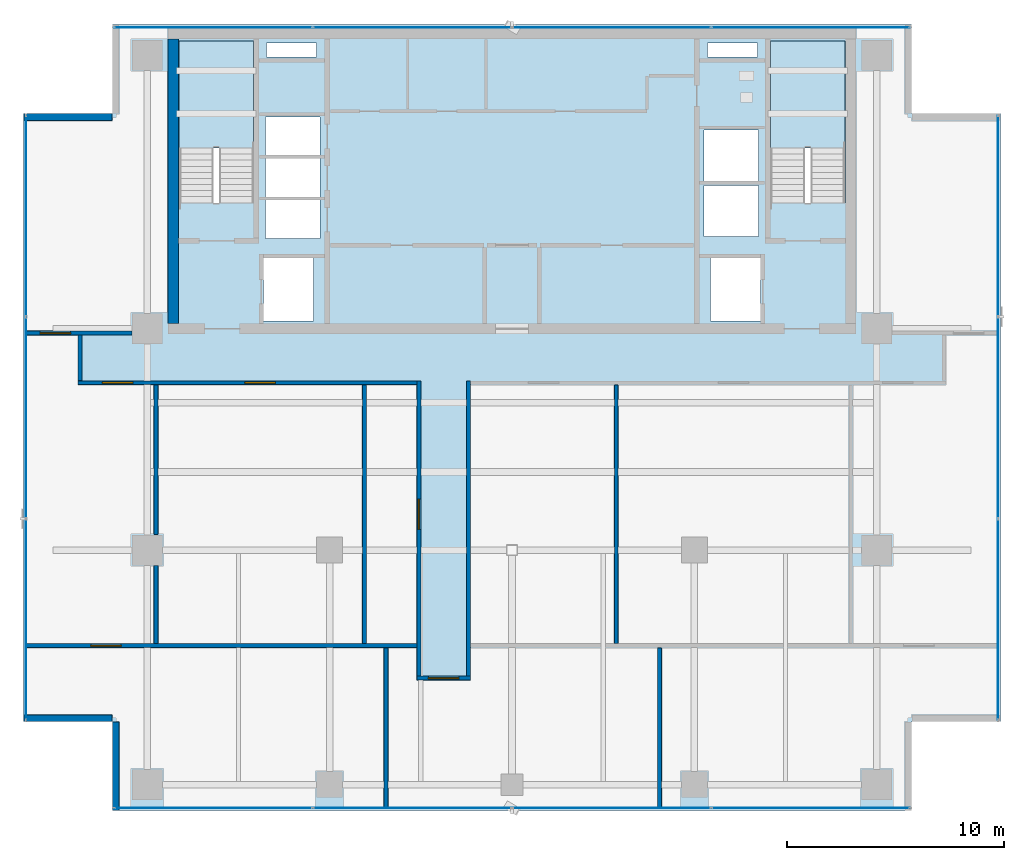
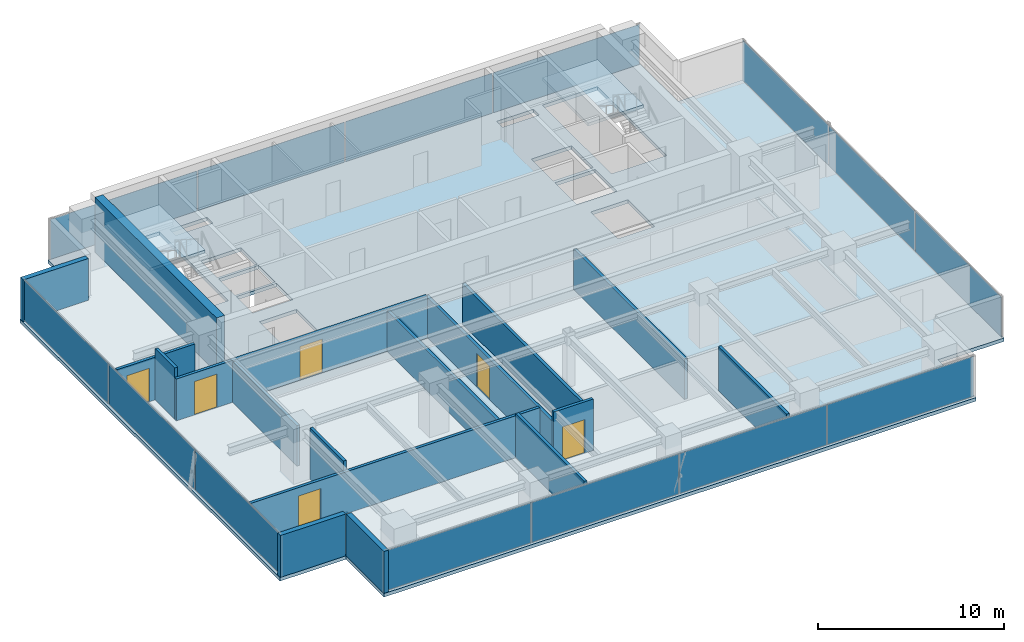
# One storey, part 19 of 25: 17 walls, 14 plates, 6 doors, 3 slabs, 6 openings, 6 elements without a shape of their own.
"""IFC4 building model written with IfcOpenShell, lengths in metres."""

from ifc_helpers import new_model, si_unit, direction, frame, frame_2d, origin, origin_2d, place, context, subcontext, project, spatial, polyline, rectangle, outline, extrude, source, transform, mapped, material, layer, layer_set, type_object, element, fill, aggregate, save


model = new_model("IFC4")

# Units and contexts
model_context = context("Model", 3, precision=1e-05, world=origin(), true_north=direction((0.0, 1.0)))
body_context = subcontext(model_context, "Body", "Model", "MODEL_VIEW")
ifc_project = project(units=[si_unit("LENGTHUNIT", "METRE"), si_unit("AREAUNIT", "SQUARE_METRE"), si_unit("VOLUMEUNIT", "CUBIC_METRE"), si_unit("PLANEANGLEUNIT", "RADIAN"), si_unit("MASSUNIT", "GRAM", prefix="KILO")], contexts=[model_context])

# Site, building, storey
site_placement = place(None, origin())
site = spatial("IfcSite", under=ifc_project, at=site_placement, CompositionType="ELEMENT")
building_placement = place(site_placement, origin())
building = spatial("IfcBuilding", under=site, at=building_placement, Name="Sumidabori Civic Tower", CompositionType="ELEMENT")
storey_placement = place(building_placement, frame((0.0, 0.0, 268.39990234375)))
storey = spatial("IfcBuildingStorey", under=building, at=storey_placement, Name="L70", CompositionType="ELEMENT", Elevation=268.39990234375)

# Stair, slab
ifc_material_1 = material(Name="Concrete C40/50", Category="concrete")
stair_type = type_object("IfcStairType", Name="ST-CORE-1600", PredefinedType="HALF_TURN_STAIR", material=ifc_material_1)
stair_1_placement = place(storey_placement, origin())
stair_1 = element("IfcStair", 1, at=stair_1_placement, inside=storey, type_object=stair_type, Name="L70 ST-1", PredefinedType="HALF_TURN_STAIR")
ifc_layer_1 = layer(ifc_material_1, 0.199951171875, Name="Concrete C40/50")
ifc_layer_set_1 = layer_set([ifc_layer_1], Name="Concrete C40/50")
slab_type_1 = type_object("IfcSlabType", Name="SL-LAND-200", PredefinedType="LANDING", material=ifc_layer_set_1)
slab_1_placement = place(storey_placement, frame((0.0, 0.0, 1.60009765625)))
slab_1 = element("IfcSlab", 2, at=slab_1_placement, type_object=slab_type_1, Name="ST-1 landing 1", PredefinedType="LANDING", context=body_context, shape_type="SweptSolid", body=[
    extrude(outline(polyline([(-11.89990234375, 18.52001953125), (-11.89990234375, 23.449951171875), (-15.340087890625, 23.449951171875), (-15.340087890625, 18.52001953125), (-11.89990234375, 18.52001953125)])), origin(), (0.0, 0.0, 1.0), 0.199951171875),
])
aggregate(stair_1, [slab_1])

stair_2_placement = place(storey_placement, origin())
stair_2 = element("IfcStair", 3, at=stair_2_placement, inside=storey, type_object=stair_type, Name="L70 ST-2", PredefinedType="HALF_TURN_STAIR")
slab_2_placement = place(storey_placement, frame((0.0, 0.0, 1.60009765625)))
slab_2 = element("IfcSlab", 4, at=slab_2_placement, type_object=slab_type_1, Name="ST-2 landing 1", PredefinedType="LANDING", context=body_context, shape_type="SweptSolid", body=[
    extrude(outline(polyline([(15.340087890625, 18.52001953125), (15.340087890625, 23.449951171875), (11.89990234375, 23.449951171875), (11.89990234375, 18.52001953125), (15.340087890625, 18.52001953125)])), origin(), (0.0, 0.0, 1.0), 0.199951171875),
])
aggregate(stair_2, [slab_2])

# Slab
ifc_layer_2 = layer(ifc_material_1, 0.22998046875, Name="Concrete C40/50")
ifc_layer_set_2 = layer_set([ifc_layer_2], Name="Concrete C40/50")
slab_type_2 = type_object("IfcSlabType", Name="SL-Z4-230", PredefinedType="FLOOR", material=ifc_layer_set_2)
slab_3_placement = place(storey_placement, frame((0.0, 0.0, -0.22998046875)))
element("IfcSlab", 5, at=slab_3_placement, inside=storey, type_object=slab_type_2, Name="Structural Slab L70", PredefinedType="FLOOR", context=body_context, shape_type="SweptSolid", body=[
    extrude(outline(polyline([(-18.39990234375, -12.0), (18.39990234375, -12.0), (18.39990234375, -7.89990234375), (22.5, -7.89990234375), (22.5, 20.10009765625), (18.39990234375, 20.10009765625), (18.39990234375, 24.199951171875), (-18.39990234375, 24.199951171875), (-18.39990234375, 20.10009765625), (-22.5, 20.10009765625), (-22.5, -7.89990234375), (-18.39990234375, -7.89990234375), (-18.39990234375, -12.0)]), holes=[polyline([(-11.89990234375, 16.0), (-11.89990234375, 23.449951171875), (-15.340087890625, 23.449951171875), (-15.340087890625, 16.0), (-11.89990234375, 16.0)]), polyline([(15.340087890625, 16.0), (15.340087890625, 23.449951171875), (11.89990234375, 23.449951171875), (11.89990234375, 16.0), (15.340087890625, 16.0)]), polyline([(-11.449951171875, 10.550048828125), (-9.14990234375, 10.550048828125), (-9.14990234375, 13.449951171875), (-11.449951171875, 13.449951171875), (-11.449951171875, 10.550048828125)]), polyline([(9.14990234375, 10.550048828125), (11.449951171875, 10.550048828125), (11.449951171875, 13.449951171875), (9.14990234375, 13.449951171875), (9.14990234375, 10.550048828125)]), polyline([(-11.35009765625, 14.35009765625), (-8.85009765625, 14.35009765625), (-8.85009765625, 16.1201171875), (-11.35009765625, 16.1201171875), (-11.35009765625, 14.35009765625)]), polyline([(-11.35009765625, 16.27001953125), (-8.85009765625, 16.27001953125), (-8.85009765625, 18.0400390625), (-11.35009765625, 18.0400390625), (-11.35009765625, 16.27001953125)]), polyline([(-11.35009765625, 18.18994140625), (-8.85009765625, 18.18994140625), (-8.85009765625, 19.9599609375), (-11.35009765625, 19.9599609375), (-11.35009765625, 18.18994140625)]), polyline([(8.85009765625, 14.449951171875), (11.35009765625, 14.449951171875), (11.35009765625, 16.800048828125), (8.85009765625, 16.800048828125), (8.85009765625, 14.449951171875)]), polyline([(8.85009765625, 17.0), (11.35009765625, 17.0), (11.35009765625, 19.35009765625), (8.85009765625, 19.35009765625), (8.85009765625, 17.0)]), polyline([(-11.300048828125, 22.719970703125), (-9.0, 22.719970703125), (-9.0, 23.35009765625), (-11.300048828125, 23.35009765625), (-11.300048828125, 22.719970703125)]), polyline([(9.0, 22.719970703125), (11.300048828125, 22.719970703125), (11.300048828125, 23.35009765625), (9.0, 23.35009765625), (9.0, 22.719970703125)])]), origin(), (0.0, 0.0, 1.0), 0.22998046875),
])

# Curtain wall, plates
ifc_material_2 = material(Name="Anodised Bronze Aluminium AW-6063-T6", Category="aluminium")
ifc_layer_3 = layer(ifc_material_2, 0.179931640625, Name="Anodised Bronze Aluminium AW-6063-T6")
ifc_layer_set_3 = layer_set([ifc_layer_3], Name="Anodised Bronze Aluminium AW-6063-T6")
curtain_wall_type = type_object("IfcCurtainWallType", Name="CW-SYS-5", PredefinedType="NOTDEFINED", material=ifc_layer_set_3)
curtain_wall_1_placement = place(storey_placement, origin())
curtain_wall_1 = element("IfcCurtainWall", 6, at=curtain_wall_1_placement, inside=storey, type_object=curtain_wall_type, Name="Curtain Wall CW:L70:R04", PredefinedType="NOTDEFINED")
ifc_material_3 = material(Name="Low-E Solar-Control Vision Glazing", Category="glass")
ifc_layer_4 = layer(ifc_material_3, 0.028076171875, Name="Low-E Solar-Control Vision Glazing")
ifc_layer_set_4 = layer_set([ifc_layer_4], Name="Low-E Solar-Control Vision Glazing")
plate_type = type_object("IfcPlateType", Name="CW-PNL-28", PredefinedType="CURTAIN_PANEL", material=ifc_layer_set_4)
shared_shape_1 = source(origin(), body_context, "Body", "SweptSolid", [
    extrude(rectangle(XDim=9.223388671875, YDim=0.028076171875, at=origin_2d()), origin(), (0.0, 0.0, 1.0), 2.6298828125),
])
plate_1_placement = place(storey_placement, frame((22.3798828125, -3.1982421875, 0.06005859375), z_axis=(0.0, 0.0, 1.0), x_axis=(0.0, 1.0, 0.0)))
plate_1 = element("IfcPlate", 7, at=plate_1_placement, type_object=plate_type, Name="CW-5 panel 1.1", PredefinedType="CURTAIN_PANEL", context=body_context, shape_type="MappedRepresentation", body=[
    mapped(shared_shape_1, transform((0.0, 0.0, 0.0), x_axis=(1.0, 0.0, 0.0), y_axis=(0.0, 1.0, 0.0), z_axis=(0.0, 0.0, 1.0), scale=1.0)),
])
plate_2_placement = place(storey_placement, frame((22.3798828125, 15.3984375, 0.06005859375), z_axis=(0.0, 0.0, 1.0), x_axis=(0.0, 1.0, 0.0)))
plate_2 = element("IfcPlate", 8, at=plate_2_placement, type_object=plate_type, Name="CW-5 panel 3.1", PredefinedType="CURTAIN_PANEL", context=body_context, shape_type="MappedRepresentation", body=[
    mapped(shared_shape_1, transform((0.0, 0.0, 0.0), x_axis=(1.0, 0.0, 0.0), y_axis=(0.0, 1.0, 0.0), z_axis=(0.0, 0.0, 1.0), scale=1.0)),
])

curtain_wall_2_placement = place(storey_placement, origin())
curtain_wall_2 = element("IfcCurtainWall", 9, at=curtain_wall_2_placement, inside=storey, type_object=curtain_wall_type, Name="Curtain Wall CW:L70:R10", PredefinedType="NOTDEFINED")
plate_3_placement = place(storey_placement, frame((-22.3798828125, 15.3984375, 0.06005859375), z_axis=(0.0, 0.0, 1.0), x_axis=(0.0, -1.0, 0.0)))
plate_3 = element("IfcPlate", 10, at=plate_3_placement, type_object=plate_type, Name="CW-5 panel 1.1", PredefinedType="CURTAIN_PANEL", context=body_context, shape_type="MappedRepresentation", body=[
    mapped(shared_shape_1, transform((0.0, 0.0, 0.0), x_axis=(1.0, 0.0, 0.0), y_axis=(0.0, 1.0, 0.0), z_axis=(0.0, 0.0, 1.0), scale=1.0)),
])
plate_4_placement = place(storey_placement, frame((-22.3798828125, -3.1982421875, 0.06005859375), z_axis=(0.0, 0.0, 1.0), x_axis=(0.0, -1.0, 0.0)))
plate_4 = element("IfcPlate", 11, at=plate_4_placement, type_object=plate_type, Name="CW-5 panel 3.1", PredefinedType="CURTAIN_PANEL", context=body_context, shape_type="MappedRepresentation", body=[
    mapped(shared_shape_1, transform((0.0, 0.0, 0.0), x_axis=(1.0, 0.0, 0.0), y_axis=(0.0, 1.0, 0.0), z_axis=(0.0, 0.0, 1.0), scale=1.0)),
])

# Plate
shared_shape_2 = source(origin(), body_context, "Body", "SweptSolid", [
    extrude(rectangle(XDim=9.25341796875, YDim=0.028076171875, at=origin_2d()), origin(), (0.0, 0.0, 1.0), 2.6298828125),
])
plate_5_placement = place(storey_placement, frame((22.3798828125, 6.10009765625, 0.06005859375), z_axis=(0.0, 0.0, 1.0), x_axis=(0.0, 1.0, 0.0)))
plate_5 = element("IfcPlate", 12, at=plate_5_placement, type_object=plate_type, Name="CW-5 panel 2.1", PredefinedType="CURTAIN_PANEL", context=body_context, shape_type="MappedRepresentation", body=[
    mapped(shared_shape_2, transform((0.0, 0.0, 0.0), x_axis=(1.0, 0.0, 0.0), y_axis=(0.0, 1.0, 0.0), z_axis=(0.0, 0.0, 1.0), scale=1.0)),
])

aggregate(curtain_wall_1, [plate_1, plate_5, plate_2])

plate_6_placement = place(storey_placement, frame((-22.3798828125, 6.10009765625, 0.06005859375), z_axis=(0.0, 0.0, 1.0), x_axis=(0.0, -1.0, 0.0)))
plate_6 = element("IfcPlate", 13, at=plate_6_placement, type_object=plate_type, Name="CW-5 panel 2.1", PredefinedType="CURTAIN_PANEL", context=body_context, shape_type="MappedRepresentation", body=[
    mapped(shared_shape_2, transform((0.0, 0.0, 0.0), x_axis=(1.0, 0.0, 0.0), y_axis=(0.0, 1.0, 0.0), z_axis=(0.0, 0.0, 1.0), scale=1.0)),
])

aggregate(curtain_wall_2, [plate_3, plate_6, plate_4])

# Curtain wall, plates
curtain_wall_3_placement = place(storey_placement, origin())
curtain_wall_3 = element("IfcCurtainWall", 14, at=curtain_wall_3_placement, inside=storey, type_object=curtain_wall_type, Name="Curtain Wall CW:L70:R01", PredefinedType="NOTDEFINED")
shared_shape_3 = source(origin(), body_context, "Body", "SweptSolid", [
    extrude(rectangle(XDim=9.094970703125, YDim=0.028076171875, at=origin_2d()), origin(), (0.0, 0.0, 1.0), 2.6298828125),
])
plate_7_placement = place(storey_placement, frame((-13.762451171875, -11.8798828125, 0.06005859375), z_axis=(0.0, 0.0, 1.0), x_axis=(1.0, 0.0, 0.0)))
plate_7 = element("IfcPlate", 15, at=plate_7_placement, type_object=plate_type, Name="CW-5 panel 1.1", PredefinedType="CURTAIN_PANEL", context=body_context, shape_type="MappedRepresentation", body=[
    mapped(shared_shape_3, transform((0.0, 0.0, 0.0), x_axis=(1.0, 0.0, 0.0), y_axis=(0.0, 1.0, 0.0), z_axis=(0.0, 0.0, 1.0), scale=1.0)),
])
plate_8_placement = place(storey_placement, frame((13.762451171875, -11.8798828125, 0.06005859375), z_axis=(0.0, 0.0, 1.0), x_axis=(1.0, 0.0, 0.0)))
plate_8 = element("IfcPlate", 16, at=plate_8_placement, type_object=plate_type, Name="CW-5 panel 4.1", PredefinedType="CURTAIN_PANEL", context=body_context, shape_type="MappedRepresentation", body=[
    mapped(shared_shape_3, transform((0.0, 0.0, 0.0), x_axis=(1.0, 0.0, 0.0), y_axis=(0.0, 1.0, 0.0), z_axis=(0.0, 0.0, 1.0), scale=1.0)),
])

curtain_wall_4_placement = place(storey_placement, origin())
curtain_wall_4 = element("IfcCurtainWall", 17, at=curtain_wall_4_placement, inside=storey, type_object=curtain_wall_type, Name="Curtain Wall CW:L70:R07", PredefinedType="NOTDEFINED")
plate_9_placement = place(storey_placement, frame((13.762451171875, 24.080078125, 0.06005859375), z_axis=(0.0, 0.0, 1.0), x_axis=(-1.0, 0.0, 0.0)))
plate_9 = element("IfcPlate", 18, at=plate_9_placement, type_object=plate_type, Name="CW-5 panel 1.1", PredefinedType="CURTAIN_PANEL", context=body_context, shape_type="MappedRepresentation", body=[
    mapped(shared_shape_3, transform((0.0, 0.0, 0.0), x_axis=(1.0, 0.0, 0.0), y_axis=(0.0, 1.0, 0.0), z_axis=(0.0, 0.0, 1.0), scale=1.0)),
])
plate_10_placement = place(storey_placement, frame((-13.762451171875, 24.080078125, 0.06005859375), z_axis=(0.0, 0.0, 1.0), x_axis=(-1.0, 0.0, 0.0)))
plate_10 = element("IfcPlate", 19, at=plate_10_placement, type_object=plate_type, Name="CW-5 panel 4.1", PredefinedType="CURTAIN_PANEL", context=body_context, shape_type="MappedRepresentation", body=[
    mapped(shared_shape_3, transform((0.0, 0.0, 0.0), x_axis=(1.0, 0.0, 0.0), y_axis=(0.0, 1.0, 0.0), z_axis=(0.0, 0.0, 1.0), scale=1.0)),
])

# Plate
shared_shape_4 = source(origin(), body_context, "Body", "SweptSolid", [
    extrude(rectangle(XDim=9.125, YDim=0.028076171875, at=origin_2d()), origin(), (0.0, 0.0, 1.0), 2.6298828125),
])
plate_11_placement = place(storey_placement, frame((-4.592529296875, -11.8798828125, 0.06005859375), z_axis=(0.0, 0.0, 1.0), x_axis=(1.0, 0.0, 0.0)))
plate_11 = element("IfcPlate", 20, at=plate_11_placement, type_object=plate_type, Name="CW-5 panel 2.1", PredefinedType="CURTAIN_PANEL", context=body_context, shape_type="MappedRepresentation", body=[
    mapped(shared_shape_4, transform((0.0, 0.0, 0.0), x_axis=(1.0, 0.0, 0.0), y_axis=(0.0, 1.0, 0.0), z_axis=(0.0, 0.0, 1.0), scale=1.0)),
])

plate_12_placement = place(storey_placement, frame((4.592529296875, -11.8798828125, 0.06005859375), z_axis=(0.0, 0.0, 1.0), x_axis=(1.0, 0.0, 0.0)))
plate_12 = element("IfcPlate", 21, at=plate_12_placement, type_object=plate_type, Name="CW-5 panel 3.1", PredefinedType="CURTAIN_PANEL", context=body_context, shape_type="MappedRepresentation", body=[
    mapped(shared_shape_4, transform((0.0, 0.0, 0.0), x_axis=(1.0, 0.0, 0.0), y_axis=(0.0, 1.0, 0.0), z_axis=(0.0, 0.0, 1.0), scale=1.0)),
])

aggregate(curtain_wall_3, [plate_7, plate_11, plate_12, plate_8])

plate_13_placement = place(storey_placement, frame((4.592529296875, 24.080078125, 0.06005859375), z_axis=(0.0, 0.0, 1.0), x_axis=(-1.0, 0.0, 0.0)))
plate_13 = element("IfcPlate", 22, at=plate_13_placement, type_object=plate_type, Name="CW-5 panel 2.1", PredefinedType="CURTAIN_PANEL", context=body_context, shape_type="MappedRepresentation", body=[
    mapped(shared_shape_4, transform((0.0, 0.0, 0.0), x_axis=(1.0, 0.0, 0.0), y_axis=(0.0, 1.0, 0.0), z_axis=(0.0, 0.0, 1.0), scale=1.0)),
])

plate_14_placement = place(storey_placement, frame((-4.592529296875, 24.080078125, 0.06005859375), z_axis=(0.0, 0.0, 1.0), x_axis=(-1.0, 0.0, 0.0)))
plate_14 = element("IfcPlate", 23, at=plate_14_placement, type_object=plate_type, Name="CW-5 panel 3.1", PredefinedType="CURTAIN_PANEL", context=body_context, shape_type="MappedRepresentation", body=[
    mapped(shared_shape_4, transform((0.0, 0.0, 0.0), x_axis=(1.0, 0.0, 0.0), y_axis=(0.0, 1.0, 0.0), z_axis=(0.0, 0.0, 1.0), scale=1.0)),
])

aggregate(curtain_wall_4, [plate_9, plate_13, plate_14, plate_10])

# Walls
ifc_material_4 = material(Name="Concrete C50/60", Category="concrete")
ifc_layer_5 = layer(ifc_material_4, 0.5, Name="Concrete C50/60")
ifc_layer_set_5 = layer_set([ifc_layer_5], Name="Concrete C50/60")
wall_type_1 = type_object("IfcWallType", Name="WL-CORE-500", PredefinedType="SHEAR", material=ifc_layer_set_5)
shared_shape_5 = source(origin(), body_context, "Body", "SweptSolid", [
    extrude(rectangle(XDim=13.10009765625, YDim=0.5, at=frame_2d((6.550048828125, 0.0))), origin(), (0.0, 0.0, 1.0), 3.60009765625),
])
wall_1_placement = place(storey_placement, frame((-15.60009765625, 10.449951171875, 0.0), z_axis=(0.0, 0.0, 1.0), x_axis=(0.0, 1.0, 0.0)))
element("IfcWall", 24, at=wall_1_placement, inside=storey, type_object=wall_type_1, Name="Core Shear Wall L70 W", PredefinedType="SHEAR", context=body_context, shape_type="MappedRepresentation", body=[
    mapped(shared_shape_5, transform((0.0, 0.0, 0.0), x_axis=(1.0, 0.0, 0.0), y_axis=(0.0, 1.0, 0.0), z_axis=(0.0, 0.0, 1.0), scale=1.0)),
])
ifc_material_5 = material(Name="Precast concrete C40/50", Category="concrete")
ifc_layer_6 = layer(ifc_material_5, 0.300048828125, Name="Precast concrete C40/50")
ifc_layer_set_6 = layer_set([ifc_layer_6], Name="Precast concrete C40/50")
wall_type_2 = type_object("IfcWallType", Name="WL-EXT-POD300", PredefinedType="STANDARD", material=ifc_layer_set_6)
shared_shape_6 = source(origin(), body_context, "Body", "SweptSolid", [
    extrude(rectangle(XDim=4.06005859375, YDim=0.300048828125, at=frame_2d((2.030029296875, 0.0))), origin(), (0.0, 0.0, 1.0), 2.75),
])
for number, where, z_axis, x_axis, name in (
    (25, (-18.419921875, 19.949951171875, 0.0), (0.0, 0.0, 1.0), (-1.0, 0.0, 0.0), "Notched Corner Spandrel Band L70-09"),
    (26, (-22.47998046875, -7.75, 0.0), (0.0, 0.0, 1.0), (1.0, 0.0, 0.0), "Notched Corner Spandrel Band L70-11"),
    (27, (-18.25, -7.919921875, 0.0), (0.0, 0.0, 1.0), (0.0, -1.0, 0.0), "Notched Corner Spandrel Band L70-12"),
):
    element("IfcWall", number, at=place(storey_placement, frame(where, z_axis=z_axis, x_axis=x_axis)), inside=storey, type_object=wall_type_2, Name=name, PredefinedType="STANDARD", context=body_context, shape_type="MappedRepresentation", body=[
        mapped(shared_shape_6, transform((0.0, 0.0, 0.0), x_axis=(1.0, 0.0, 0.0), y_axis=(0.0, 1.0, 0.0), z_axis=(0.0, 0.0, 1.0), scale=1.0)),
    ])

# Wall, opening, door
ifc_material_6 = material(Name="Gypsum Plasterboard Acoustic Partition")
ifc_layer_7 = layer(ifc_material_6, 0.179931640625, Name="Gypsum Plasterboard Acoustic Partition")
ifc_layer_set_7 = layer_set([ifc_layer_7], Name="Gypsum Plasterboard Acoustic Partition")
wall_type_3 = type_object("IfcWallType", Name="WL-PART-180", PredefinedType="PARTITIONING", material=ifc_layer_set_7)
shared_shape_7 = source(origin(), body_context, "Body", "SweptSolid", [
    extrude(rectangle(XDim=13.594970703125, YDim=0.179931640625, at=frame_2d((6.79736328125, 0.0))), origin(), (0.0, 0.0, 1.0), 2.655029296875),
])
wall_2_placement = place(storey_placement, frame((-4.2900390625, -5.794921875, 0.0), z_axis=(0.0, 0.0, 1.0), x_axis=(0.0, 1.0, 0.0)))
wall_2 = element("IfcWall", 28, at=wall_2_placement, inside=storey, type_object=wall_type_3, Name="Interior Partition WL:L70:CORR-VC-W", PredefinedType="PARTITIONING", context=body_context, shape_type="MappedRepresentation", body=[
    mapped(shared_shape_7, transform((0.0, 0.0, 0.0), x_axis=(1.0, 0.0, 0.0), y_axis=(0.0, 1.0, 0.0), z_axis=(0.0, 0.0, 1.0), scale=1.0)),
])
opening_1_placement = place(wall_2_placement, frame((6.75, 0.0, 0.0)))
opening_1 = element("IfcOpeningElement", 29, at=opening_1_placement, cuts=wall_2, Name="Opening DR-5", PredefinedType="OPENING", context=body_context, shape_type="SweptSolid", body=[
    extrude(rectangle(XDim=1.39990234375, YDim=2.199951171875, at=frame_2d((0.699951171875, 1.10009765625))), frame((0.0, 0.10205078125, 0.0), z_axis=(0.0, -1.0, 0.0), x_axis=(1.0, 0.0, 0.0)), (0.0, 0.0, 1.0), 0.203857421875),
])
door_type = type_object("IfcDoorType", Name="DR-DBL-1400", OperationType="DOUBLE_DOOR_SINGLE_SWING", PredefinedType="DOOR", material=ifc_material_2)
shared_shape_8 = source(origin(), body_context, "Body", "SweptSolid", [
    extrude(rectangle(XDim=1.39990234375, YDim=2.199951171875, at=frame_2d((0.699951171875, 1.10009765625))), frame((0.0, 0.02490234375, 0.0), z_axis=(0.0, -1.0, 0.0), x_axis=(1.0, 0.0, 0.0)), (0.0, 0.0, 1.0), 0.050048828125),
])
door_1_placement = place(opening_1_placement, origin())
door_1 = element("IfcDoor", 30, at=door_1_placement, inside=storey, type_object=door_type, Name="Door DR:L70:D04", OperationType="DOUBLE_DOOR_SINGLE_SWING", OverallHeight=2.199951171875, OverallWidth=1.39990234375, PredefinedType="DOOR", context=body_context, shape_type="MappedRepresentation", body=[
    mapped(shared_shape_8, transform((0.0, 0.0, 0.0), x_axis=(1.0, 0.0, 0.0), y_axis=(0.0, 1.0, 0.0), z_axis=(0.0, 0.0, 1.0), scale=1.0)),
])
fill(opening_1, door_1)

# Walls
wall_3_placement = place(storey_placement, frame((-2.010009765625, -5.794921875, 0.0), z_axis=(0.0, 0.0, 1.0), x_axis=(0.0, 1.0, 0.0)))
element("IfcWall", 31, at=wall_3_placement, inside=storey, type_object=wall_type_3, Name="Interior Partition WL:L70:CORR-VC-E", PredefinedType="PARTITIONING", context=body_context, shape_type="MappedRepresentation", body=[
    mapped(shared_shape_7, transform((0.0, 0.0, 0.0), x_axis=(1.0, 0.0, 0.0), y_axis=(0.0, 1.0, 0.0), z_axis=(0.0, 0.0, 1.0), scale=1.0)),
])
shared_shape_9 = source(origin(), body_context, "Body", "SweptSolid", [
    extrude(rectangle(XDim=6.905029296875, YDim=0.179931640625, at=frame_2d((3.45263671875, 0.0))), origin(), (0.0, 0.0, 1.0), 2.655029296875),
])
wall_4_placement = place(storey_placement, frame((-16.39990234375, 0.7099609375, 0.0), z_axis=(0.0, 0.0, 1.0), x_axis=(0.0, 1.0, 0.0)))
element("IfcWall", 32, at=wall_4_placement, inside=storey, type_object=wall_type_3, Name="Interior Partition WL:L70:VX-N1-2", PredefinedType="PARTITIONING", context=body_context, shape_type="MappedRepresentation", body=[
    mapped(shared_shape_9, transform((0.0, 0.0, 0.0), x_axis=(1.0, 0.0, 0.0), y_axis=(0.0, 1.0, 0.0), z_axis=(0.0, 0.0, 1.0), scale=1.0)),
])
shared_shape_10 = source(origin(), body_context, "Body", "SweptSolid", [
    extrude(rectangle(XDim=11.919921875, YDim=0.179931640625, at=frame_2d((5.9599609375, 0.0))), origin(), (0.0, 0.0, 1.0), 2.655029296875),
])
for number, where, z_axis, x_axis, name in (
    (33, (-6.800048828125, -4.304931640625, 0.0), (0.0, 0.0, 1.0), (0.0, 1.0, 0.0), "Interior Partition WL:L70:VX-N2"),
    (34, (4.800048828125, -4.304931640625, 0.0), (0.0, 0.0, 1.0), (0.0, 1.0, 0.0), "Interior Partition WL:L70:VX-N3"),
):
    element("IfcWall", number, at=place(storey_placement, frame(where, z_axis=z_axis, x_axis=x_axis)), inside=storey, type_object=wall_type_3, Name=name, PredefinedType="PARTITIONING", context=body_context, shape_type="MappedRepresentation", body=[
        mapped(shared_shape_10, transform((0.0, 0.0, 0.0), x_axis=(1.0, 0.0, 0.0), y_axis=(0.0, 1.0, 0.0), z_axis=(0.0, 0.0, 1.0), scale=1.0)),
    ])
shared_shape_11 = source(origin(), body_context, "Body", "SweptSolid", [
    extrude(rectangle(XDim=7.35498046875, YDim=0.179931640625, at=frame_2d((3.677490234375, 0.0))), origin(), (0.0, 0.0, 1.0), 2.905029296875),
])
for number, where, z_axis, x_axis, name in (
    (35, (-5.800048828125, -11.85009765625, 0.0), (0.0, 0.0, 1.0), (0.0, 1.0, 0.0), "Interior Partition WL:L70:VX-S1"),
    (36, (6.800048828125, -11.85009765625, 0.0), (0.0, 0.0, 1.0), (0.0, 1.0, 0.0), "Interior Partition WL:L70:VX-S2"),
):
    element("IfcWall", number, at=place(storey_placement, frame(where, z_axis=z_axis, x_axis=x_axis)), inside=storey, type_object=wall_type_3, Name=name, PredefinedType="PARTITIONING", context=body_context, shape_type="MappedRepresentation", body=[
        mapped(shared_shape_11, transform((0.0, 0.0, 0.0), x_axis=(1.0, 0.0, 0.0), y_axis=(0.0, 1.0, 0.0), z_axis=(0.0, 0.0, 1.0), scale=1.0)),
    ])

# Wall, opening, door
shared_shape_12 = source(origin(), body_context, "Body", "SweptSolid", [
    extrude(rectangle(XDim=4.840087890625, YDim=0.179931640625, at=frame_2d((2.419921875, 0.0))), origin(), (0.0, 0.0, 1.0), 2.80517578125),
])
wall_5_placement = place(storey_placement, frame((-22.35009765625, 10.0, 0.0), z_axis=(0.0, 0.0, 1.0), x_axis=(1.0, 0.0, 0.0)))
wall_5 = element("IfcWall", 37, at=wall_5_placement, inside=storey, type_object=wall_type_3, Name="Interior Partition WL:L70:FLK-NW", PredefinedType="PARTITIONING", context=body_context, shape_type="MappedRepresentation", body=[
    mapped(shared_shape_12, transform((0.0, 0.0, 0.0), x_axis=(1.0, 0.0, 0.0), y_axis=(0.0, 1.0, 0.0), z_axis=(0.0, 0.0, 1.0), scale=1.0)),
])
opening_2_placement = place(wall_5_placement, frame((0.6201171875, 0.0, 0.0)))
opening_2 = element("IfcOpeningElement", 38, at=opening_2_placement, cuts=wall_5, Name="Opening DR-5", PredefinedType="OPENING", context=body_context, shape_type="SweptSolid", body=[
    extrude(rectangle(XDim=1.39990234375, YDim=2.199951171875, at=frame_2d((0.699951171875, 1.10009765625))), frame((0.0, 0.10205078125, 0.0), z_axis=(0.0, -1.0, 0.0), x_axis=(1.0, 0.0, 0.0)), (0.0, 0.0, 1.0), 0.203857421875),
])
door_2_placement = place(opening_2_placement, origin())
door_2 = element("IfcDoor", 39, at=door_2_placement, inside=storey, type_object=door_type, Name="Door DR:L70:D08", OperationType="DOUBLE_DOOR_SINGLE_SWING", OverallHeight=2.199951171875, OverallWidth=1.39990234375, PredefinedType="DOOR", context=body_context, shape_type="MappedRepresentation", body=[
    mapped(shared_shape_8, transform((0.0, 0.0, 0.0), x_axis=(1.0, 0.0, 0.0), y_axis=(0.0, 1.0, 0.0), z_axis=(0.0, 0.0, 1.0), scale=1.0)),
])
fill(opening_2, door_2)

# Wall, openings, doors
shared_shape_13 = source(origin(), body_context, "Body", "SweptSolid", [
    extrude(rectangle(XDim=15.60009765625, YDim=0.179931640625, at=frame_2d((7.800048828125, 0.0))), origin(), (0.0, 0.0, 1.0), 2.755126953125),
])
wall_6_placement = place(storey_placement, frame((-19.97998046875, 7.7099609375, 0.0), z_axis=(0.0, 0.0, 1.0), x_axis=(1.0, 0.0, 0.0)))
wall_6 = element("IfcWall", 40, at=wall_6_placement, inside=storey, type_object=wall_type_3, Name="Interior Partition WL:L70:CORR-SW", PredefinedType="PARTITIONING", context=body_context, shape_type="MappedRepresentation", body=[
    mapped(shared_shape_13, transform((0.0, 0.0, 0.0), x_axis=(1.0, 0.0, 0.0), y_axis=(0.0, 1.0, 0.0), z_axis=(0.0, 0.0, 1.0), scale=1.0)),
])
opening_3_placement = place(wall_6_placement, frame((1.114990234375, 0.0, 0.0)))
opening_3 = element("IfcOpeningElement", 41, at=opening_3_placement, cuts=wall_6, Name="Opening DR-5", PredefinedType="OPENING", context=body_context, shape_type="SweptSolid", body=[
    extrude(rectangle(XDim=1.39990234375, YDim=2.199951171875, at=frame_2d((0.699951171875, 1.10009765625))), frame((0.0, 0.10205078125, 0.0), z_axis=(0.0, -1.0, 0.0), x_axis=(1.0, 0.0, 0.0)), (0.0, 0.0, 1.0), 0.203857421875),
])
opening_4_placement = place(wall_6_placement, frame((7.679931640625, 0.0, 0.0)))
opening_4 = element("IfcOpeningElement", 42, at=opening_4_placement, cuts=wall_6, Name="Opening DR-5", PredefinedType="OPENING", context=body_context, shape_type="SweptSolid", body=[
    extrude(rectangle(XDim=1.39990234375, YDim=2.199951171875, at=frame_2d((0.699951171875, 1.10009765625))), frame((0.0, 0.10205078125, 0.0), z_axis=(0.0, -1.0, 0.0), x_axis=(1.0, 0.0, 0.0)), (0.0, 0.0, 1.0), 0.203857421875),
])
door_3_placement = place(opening_3_placement, origin())
door_3 = element("IfcDoor", 43, at=door_3_placement, inside=storey, type_object=door_type, Name="Door DR:L70:D01", OperationType="DOUBLE_DOOR_SINGLE_SWING", OverallHeight=2.199951171875, OverallWidth=1.39990234375, PredefinedType="DOOR", context=body_context, shape_type="MappedRepresentation", body=[
    mapped(shared_shape_8, transform((0.0, 0.0, 0.0), x_axis=(1.0, 0.0, 0.0), y_axis=(0.0, 1.0, 0.0), z_axis=(0.0, 0.0, 1.0), scale=1.0)),
])
fill(opening_3, door_3)
door_4_placement = place(opening_4_placement, origin())
door_4 = element("IfcDoor", 44, at=door_4_placement, inside=storey, type_object=door_type, Name="Door DR:L70:D03", OperationType="DOUBLE_DOOR_SINGLE_SWING", OverallHeight=2.199951171875, OverallWidth=1.39990234375, PredefinedType="DOOR", context=body_context, shape_type="MappedRepresentation", body=[
    mapped(shared_shape_8, transform((0.0, 0.0, 0.0), x_axis=(1.0, 0.0, 0.0), y_axis=(0.0, 1.0, 0.0), z_axis=(0.0, 0.0, 1.0), scale=1.0)),
])
fill(opening_4, door_4)

# Wall, opening, door
shared_shape_14 = source(origin(), body_context, "Body", "SweptSolid", [
    extrude(rectangle(XDim=2.4599609375, YDim=0.179931640625, at=frame_2d((1.22998046875, 0.0))), origin(), (0.0, 0.0, 1.0), 3.3701171875),
])
wall_7_placement = place(storey_placement, frame((-4.3798828125, -5.889892578125, 0.0), z_axis=(0.0, 0.0, 1.0), x_axis=(1.0, 0.0, 0.0)))
wall_7 = element("IfcWall", 45, at=wall_7_placement, inside=storey, type_object=wall_type_3, Name="Interior Partition WL:L70:CORR-CAP-C", PredefinedType="PARTITIONING", context=body_context, shape_type="MappedRepresentation", body=[
    mapped(shared_shape_14, transform((0.0, 0.0, 0.0), x_axis=(1.0, 0.0, 0.0), y_axis=(0.0, 1.0, 0.0), z_axis=(0.0, 0.0, 1.0), scale=1.0)),
])
opening_5_placement = place(wall_7_placement, frame((0.530029296875, 0.0, 0.0)))
opening_5 = element("IfcOpeningElement", 46, at=opening_5_placement, cuts=wall_7, Name="Opening DR-5", PredefinedType="OPENING", context=body_context, shape_type="SweptSolid", body=[
    extrude(rectangle(XDim=1.39990234375, YDim=2.199951171875, at=frame_2d((0.699951171875, 1.10009765625))), frame((0.0, 0.10205078125, 0.0), z_axis=(0.0, -1.0, 0.0), x_axis=(1.0, 0.0, 0.0)), (0.0, 0.0, 1.0), 0.203857421875),
])
door_5_placement = place(opening_5_placement, origin())
door_5 = element("IfcDoor", 47, at=door_5_placement, inside=storey, type_object=door_type, Name="Door DR:L70:D07", OperationType="DOUBLE_DOOR_SINGLE_SWING", OverallHeight=2.199951171875, OverallWidth=1.39990234375, PredefinedType="DOOR", context=body_context, shape_type="MappedRepresentation", body=[
    mapped(shared_shape_8, transform((0.0, 0.0, 0.0), x_axis=(1.0, 0.0, 0.0), y_axis=(0.0, 1.0, 0.0), z_axis=(0.0, 0.0, 1.0), scale=1.0)),
])
fill(opening_5, door_5)

# Wall
shared_shape_15 = source(origin(), body_context, "Body", "SweptSolid", [
    extrude(rectangle(XDim=2.10009765625, YDim=0.179931640625, at=frame_2d((1.050048828125, 0.0))), origin(), (0.0, 0.0, 1.0), 3.3701171875),
])
wall_8_placement = place(storey_placement, frame((-19.889892578125, 7.804931640625, 0.0), z_axis=(0.0, 0.0, 1.0), x_axis=(0.0, 1.0, 0.0)))
element("IfcWall", 48, at=wall_8_placement, inside=storey, type_object=wall_type_3, Name="Interior Partition WL:L70:CORR-VNW", PredefinedType="PARTITIONING", context=body_context, shape_type="MappedRepresentation", body=[
    mapped(shared_shape_15, transform((0.0, 0.0, 0.0), x_axis=(1.0, 0.0, 0.0), y_axis=(0.0, 1.0, 0.0), z_axis=(0.0, 0.0, 1.0), scale=1.0)),
])

# Wall, opening, door
shared_shape_16 = source(origin(), body_context, "Body", "SweptSolid", [
    extrude(rectangle(XDim=17.965087890625, YDim=0.179931640625, at=frame_2d((8.982421875, 0.0))), origin(), (0.0, 0.0, 1.0), 2.755126953125),
])
wall_9_placement = place(storey_placement, frame((-22.35009765625, -4.39990234375, 0.0), z_axis=(0.0, 0.0, 1.0), x_axis=(1.0, 0.0, 0.0)))
wall_9 = element("IfcWall", 49, at=wall_9_placement, inside=storey, type_object=wall_type_3, Name="Interior Partition WL:L70:BAND-Y-1", PredefinedType="PARTITIONING", context=body_context, shape_type="MappedRepresentation", body=[
    mapped(shared_shape_16, transform((0.0, 0.0, 0.0), x_axis=(1.0, 0.0, 0.0), y_axis=(0.0, 1.0, 0.0), z_axis=(0.0, 0.0, 1.0), scale=1.0)),
])
opening_6_placement = place(wall_9_placement, frame((2.949951171875, 0.0, 0.0)))
opening_6 = element("IfcOpeningElement", 50, at=opening_6_placement, cuts=wall_9, Name="Opening DR-5", PredefinedType="OPENING", context=body_context, shape_type="SweptSolid", body=[
    extrude(rectangle(XDim=1.39990234375, YDim=2.199951171875, at=frame_2d((0.699951171875, 1.10009765625))), frame((0.0, 0.10205078125, 0.0), z_axis=(0.0, -1.0, 0.0), x_axis=(1.0, 0.0, 0.0)), (0.0, 0.0, 1.0), 0.203857421875),
])
door_6_placement = place(opening_6_placement, origin())
door_6 = element("IfcDoor", 51, at=door_6_placement, inside=storey, type_object=door_type, Name="Door DR:L70:D10", OperationType="DOUBLE_DOOR_SINGLE_SWING", OverallHeight=2.199951171875, OverallWidth=1.39990234375, PredefinedType="DOOR", context=body_context, shape_type="MappedRepresentation", body=[
    mapped(shared_shape_8, transform((0.0, 0.0, 0.0), x_axis=(1.0, 0.0, 0.0), y_axis=(0.0, 1.0, 0.0), z_axis=(0.0, 0.0, 1.0), scale=1.0)),
])
fill(opening_6, door_6)

# Wall
shared_shape_17 = source(origin(), body_context, "Body", "SweptSolid", [
    extrude(rectangle(XDim=3.594970703125, YDim=0.179931640625, at=frame_2d((1.79736328125, 0.0))), origin(), (0.0, 0.0, 1.0), 3.3701171875),
])
wall_10_placement = place(storey_placement, frame((-16.39990234375, -4.304931640625, 0.0), z_axis=(0.0, 0.0, 1.0), x_axis=(0.0, 1.0, 0.0)))
element("IfcWall", 52, at=wall_10_placement, inside=storey, type_object=wall_type_3, Name="Interior Partition WL:L70:VX-N1-1", PredefinedType="PARTITIONING", context=body_context, shape_type="MappedRepresentation", body=[
    mapped(shared_shape_17, transform((0.0, 0.0, 0.0), x_axis=(1.0, 0.0, 0.0), y_axis=(0.0, 1.0, 0.0), z_axis=(0.0, 0.0, 1.0), scale=1.0)),
])

save(model, "model.ifc")
